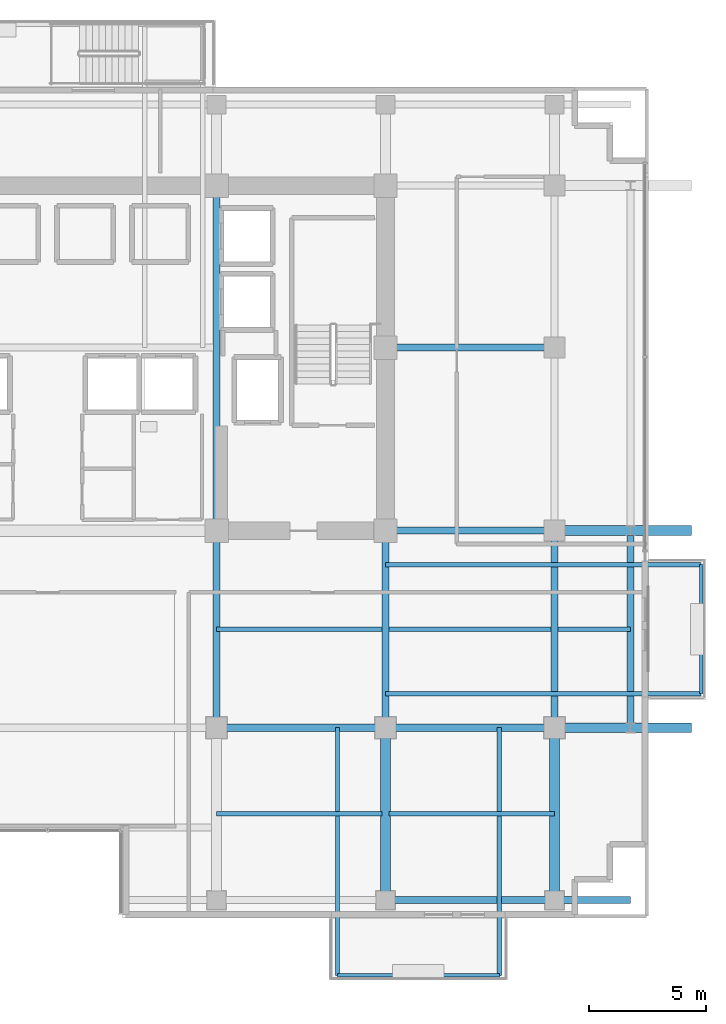
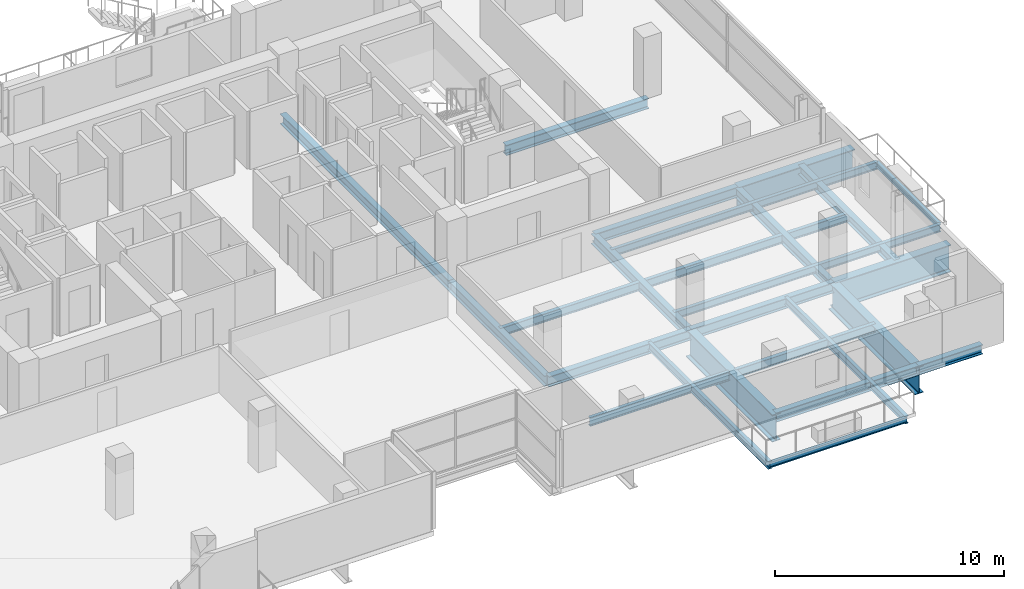
# One storey, part 12 of 27: 26 beams.
"""IFC4 building model written with IfcOpenShell, lengths in metres."""

import ifcopenshell
import ifcopenshell.guid

model = None  # the IFC model being written
_history = None  # IfcOwnerHistory: only IFC2X3 demands one
_inside = {}  # id of a spatial element -> (the spatial element, [elements in it])
_under = {}  # id of a project, library or spatial element -> (it, [spatial elements below it])
_declared = {}  # id of a project -> (the project, [libraries it declares])
_typed = {}  # id of a type object -> (the type object, [elements of that type])
_made_of = {}  # id of a material, layer set ... -> (it, [elements and type objects made of it])


def new_model(schema):
    """Start an empty IFC model of exactly this schema.

    Asked for "IFC4X3", IfcOpenShell would pick the latest addendum, in which some entities
    have other attributes; the version numbers below select the first issue.
    IFC2X3 requires an IfcOwnerHistory on every rooted entity: one is made here for all.
    """
    global model, _history
    if schema == "IFC4X3":
        model = ifcopenshell.file(schema_version=(4, 3, 0, 0))
    else:
        model = ifcopenshell.file(schema=schema)
    _inside.clear()
    _under.clear()
    _declared.clear()
    _typed.clear()
    _made_of.clear()
    _history = None
    if model.schema == "IFC2X3":
        org = make("IfcOrganization", Name="unknown")
        user = make(
            "IfcPersonAndOrganization",
            ThePerson=make("IfcPerson", FamilyName="unknown"),
            TheOrganization=org,
        )
        app = make(
            "IfcApplication",
            ApplicationDeveloper=org,
            Version="unknown",
            ApplicationFullName="unknown",
            ApplicationIdentifier="unknown",
        )
        _history = make(
            "IfcOwnerHistory",
            OwningUser=user,
            OwningApplication=app,
            ChangeAction="ADDED",
            CreationDate=0,
        )
    return model


def make(cls, **values):
    """One entity of the class cls with the attributes given. An attribute that is None is left unset."""
    return model.create_entity(
        cls, **{name: value for name, value in values.items() if value is not None}
    )


def rooted(cls, **values):
    """An entity with a GlobalId (a new one), such as an element, a storey or a relation."""
    return make(cls, GlobalId=ifcopenshell.guid.new(), OwnerHistory=_history, **values)


def si_unit(unit_type, name, prefix=None):
    """IfcSIUnit, for example si_unit("LENGTHUNIT", "METRE", prefix="MILLI")."""
    return make("IfcSIUnit", UnitType=unit_type, Prefix=prefix, Name=name)


def assignment(units):
    """IfcUnitAssignment: the units of a project."""
    return None if units is None else make("IfcUnitAssignment", Units=units)


def point(xyz):
    """IfcCartesianPoint."""
    return None if xyz is None else make("IfcCartesianPoint", Coordinates=xyz)


def direction(xyz):
    """IfcDirection."""
    return None if xyz is None else make("IfcDirection", DirectionRatios=xyz)


def frame(location, z_axis=None, x_axis=None):
    """IfcAxis2Placement3D, a coordinate frame: its origin and axes. An axis left out is left unset."""
    return make(
        "IfcAxis2Placement3D",
        Location=point(location),
        Axis=direction(z_axis),
        RefDirection=direction(x_axis),
    )


def frame_2d(location, x_axis=None):
    """IfcAxis2Placement2D, a coordinate frame in the plane: its origin and x axis."""
    return make(
        "IfcAxis2Placement2D", Location=point(location), RefDirection=direction(x_axis)
    )


def origin():
    """The frame at (0, 0, 0) with its axes left unset."""
    return frame((0.0, 0.0, 0.0))


def origin_2d():
    """The frame at (0, 0) in the plane with its x axis left unset."""
    return frame_2d((0.0, 0.0))


def place(relative_to, where):
    """IfcLocalPlacement: puts the frame where relative to a parent placement (None: the world)."""
    return make(
        "IfcLocalPlacement", PlacementRelTo=relative_to, RelativePlacement=where
    )


def context(
    kind, dimensions, precision=None, world=None, true_north=None, identifier=None
):
    """IfcGeometricRepresentationContext, for example the 3D "Model" context."""
    return make(
        "IfcGeometricRepresentationContext",
        ContextIdentifier=identifier,
        ContextType=kind,
        CoordinateSpaceDimension=dimensions,
        Precision=precision,
        WorldCoordinateSystem=world,
        TrueNorth=true_north,
    )


def subcontext(parent, identifier, kind, view, scale=None):
    """IfcGeometricRepresentationSubContext, for example "Body" below "Model"."""
    return make(
        "IfcGeometricRepresentationSubContext",
        ContextIdentifier=identifier,
        ContextType=kind,
        ParentContext=parent,
        TargetScale=scale,
        TargetView=view,
    )


def project(units=None, contexts=None):
    """IfcProject with its units and contexts."""
    return rooted(
        "IfcProject",
        Name="project",
        RepresentationContexts=contexts,
        UnitsInContext=assignment(units),
    )


def spatial(cls, under=None, at=None, **own):
    """A site, building, storey or space (cls), placed at a placement, below another one or the project."""
    s = rooted(cls, ObjectPlacement=at, **own)
    if under is not None:
        _under.setdefault(under.id(), (under, []))[1].append(s)
    return s


def profile(cls, at=None, kind="AREA", **sizes):
    """A parametric profile (cls). Its sizes go by their IFC names, for example OverallWidth=200.0."""
    return make(cls, ProfileType=kind, Position=at, **sizes)


def i_section(**sizes):
    """IfcIShapeProfileDef."""
    return profile("IfcIShapeProfileDef", **sizes)


def extrude(swept, where, along, depth):
    """IfcExtrudedAreaSolid: the profile swept, set in the frame where, extruded along a direction by depth."""
    return make(
        "IfcExtrudedAreaSolid",
        SweptArea=swept,
        Position=where,
        ExtrudedDirection=direction(along),
        Depth=depth,
    )


def shape(context_of_items, identifier, shape_type, items):
    """IfcShapeRepresentation: the items that make up one representation, for example the "Body"."""
    return make(
        "IfcShapeRepresentation",
        ContextOfItems=context_of_items,
        RepresentationIdentifier=identifier,
        RepresentationType=shape_type,
        Items=items,
    )


def material(Name=None, Category=None):
    """IfcMaterial."""
    return make("IfcMaterial", Name=Name, Category=Category)


def material_profile(
    of_material, cross_section, Name=None, Category=None, Priority=None
):
    """IfcMaterialProfile: a cross section and its material."""
    return make(
        "IfcMaterialProfile",
        Name=Name,
        Material=of_material,
        Profile=cross_section,
        Priority=Priority,
        Category=Category,
    )


def profile_set(profiles, Name=None, composite=None):
    """IfcMaterialProfileSet."""
    return make(
        "IfcMaterialProfileSet",
        Name=Name,
        MaterialProfiles=profiles,
        CompositeProfile=composite,
    )


def made_of(thing, what):
    """Note that an element or type object is made of a material, layer set ...; save() writes the relation."""
    if what is not None:
        _made_of.setdefault(what.id(), (what, []))[1].append(thing)
    return thing


def type_object(cls, material=None, **own):
    """A type object (cls), such as IfcWallType, which elements share."""
    return made_of(rooted(cls, **own), material)


def element(
    cls,
    number,
    at=None,
    inside=None,
    cuts=None,
    type_object=None,
    material=None,
    context=None,
    identifier="Body",
    shape_type=None,
    held_by="IfcProductDefinitionShape",
    body=None,
    shapes=None,
    **own,
):
    """One element of the class cls, such as IfcWall. Its Tag is "e" and its number.

    at: its placement. inside: the storey or other place that contains it. cuts: it is an
    opening in that element (IfcRelVoidsElement). A single representation is given by context,
    identifier, shape_type and body (its items); several are given by shapes. held_by: the class
    of the entity that holds the representations. save() writes the other relations.
    """
    e = rooted(cls, Tag="e%d" % number, ObjectPlacement=at, **own)
    if body is not None:
        shapes = [shape(context, identifier, shape_type, body)]
    if shapes is not None:
        e.Representation = make(held_by, Representations=shapes)
    if inside is not None:
        _inside.setdefault(inside.id(), (inside, []))[1].append(e)
    if cuts is not None:
        rooted(
            "IfcRelVoidsElement", RelatingBuildingElement=cuts, RelatedOpeningElement=e
        )
    if type_object is not None:
        _typed.setdefault(type_object.id(), (type_object, []))[1].append(e)
    return made_of(e, material)


def aggregate(whole, parts):
    """IfcRelAggregates: a whole, such as a stair, and the parts it consists of."""
    return rooted("IfcRelAggregates", RelatingObject=whole, RelatedObjects=parts)


def save(model, path):
    """Write the relations noted so far, then the file.

    IfcRelAggregates (storeys below a building ...), IfcRelContainedInSpatialStructure (elements
    in a storey), IfcRelDefinesByType, IfcRelAssociatesMaterial and IfcRelDeclares: one each for
    every whole, place, type object, material and project.
    """
    for whole, parts in _under.values():
        aggregate(whole, parts)
    for where, things in _inside.values():
        rooted(
            "IfcRelContainedInSpatialStructure",
            RelatedElements=things,
            RelatingStructure=where,
        )
    for kind, things in _typed.values():
        rooted("IfcRelDefinesByType", RelatedObjects=things, RelatingType=kind)
    for what, things in _made_of.values():
        rooted("IfcRelAssociatesMaterial", RelatedObjects=things, RelatingMaterial=what)
    for by, libraries in _declared.values():
        rooted("IfcRelDeclares", RelatingContext=by, RelatedDefinitions=libraries)
    model.write(path)


model = new_model("IFC4")

# Units and contexts
model_context = context("Model", 3, precision=1e-05, world=origin(), true_north=direction((0.0, 1.0)))
body_context = subcontext(model_context, "Body", "Model", "MODEL_VIEW")
ifc_project = project(units=[si_unit("LENGTHUNIT", "METRE"), si_unit("AREAUNIT", "SQUARE_METRE"), si_unit("VOLUMEUNIT", "CUBIC_METRE"), si_unit("PLANEANGLEUNIT", "RADIAN"), si_unit("MASSUNIT", "GRAM", prefix="KILO")], contexts=[model_context])

# Site, building, storey
site_placement = place(None, origin())
site = spatial("IfcSite", under=ifc_project, at=site_placement, CompositionType="ELEMENT")
building_placement = place(site_placement, origin())
building = spatial("IfcBuilding", under=site, at=building_placement, Name="Zarnakvel Exchange Tower", CompositionType="ELEMENT")
storey_placement = place(building_placement, frame((0.0, 0.0, 86.800048828125)))
storey = spatial("IfcBuildingStorey", under=building, at=storey_placement, Name="L23", CompositionType="ELEMENT", Elevation=86.800048828125)

# Beams
ifc_material_1 = material(Name="Steel S355", Category="steel")
ifc_material_profile_1 = material_profile(ifc_material_1, i_section(OverallWidth=0.18994140625, OverallDepth=0.449951171875, WebThickness=0.009521484375, FlangeThickness=0.0146484375, FilletRadius=0.02099609375, at=origin_2d()))
ifc_profile_set_1 = profile_set([ifc_material_profile_1], Name="Steel S355")
beam_type_1 = type_object("IfcBeamType", Name="B-05", PredefinedType="JOIST", material=ifc_profile_set_1)
for number, where, z_axis, x_axis, name in (
    (1, (7.199951171875, -13.27490234375, -0.47509765625), (1.0, 0.0, 0.0), (0.0, 1.0, 0.0), "L23 Composite Floor Secondary Joist"),
    (2, (14.554931640625, -13.27490234375, -0.47509765625), (1.0, 0.0, 0.0), (0.0, 1.0, 0.0), "L23 Composite Floor Secondary Joist"),
):
    element("IfcBeam", number, at=place(storey_placement, frame(where, z_axis=z_axis, x_axis=x_axis)), inside=storey, type_object=beam_type_1, Name=name, PredefinedType="JOIST", context=body_context, shape_type="SweptSolid", body=[
        extrude(i_section(OverallWidth=0.18994140625, OverallDepth=0.449951171875, WebThickness=0.009521484375, FlangeThickness=0.0146484375, FilletRadius=0.02099609375, at=origin_2d()), origin(), (0.0, 0.0, 1.0), 7.045166015625),
    ])
beam_1_placement = place(storey_placement, frame((7.199951171875, -5.39990234375, -0.47509765625), z_axis=(1.0, 0.0, 0.0), x_axis=(0.0, 1.0, 0.0)))
element("IfcBeam", 3, at=beam_1_placement, inside=storey, type_object=beam_type_1, Name="L23 Composite Floor Secondary Joist", PredefinedType="JOIST", context=body_context, shape_type="SweptSolid", body=[
    extrude(i_section(OverallWidth=0.18994140625, OverallDepth=0.449951171875, WebThickness=0.009521484375, FlangeThickness=0.0146484375, FilletRadius=0.02099609375, at=origin_2d()), origin(), (0.0, 0.0, 1.0), 7.050048828125),
])
beam_2_placement = place(storey_placement, frame((14.550048828125, -5.39990234375, -0.47509765625), z_axis=(1.0, 0.0, 0.0), x_axis=(0.0, 1.0, 0.0)))
element("IfcBeam", 4, at=beam_2_placement, inside=storey, type_object=beam_type_1, Name="L23 Composite Floor Secondary Joist", PredefinedType="JOIST", context=body_context, shape_type="SweptSolid", body=[
    extrude(i_section(OverallWidth=0.18994140625, OverallDepth=0.449951171875, WebThickness=0.009521484375, FlangeThickness=0.0146484375, FilletRadius=0.02099609375, at=origin_2d()), origin(), (0.0, 0.0, 1.0), 6.89990234375),
])
beam_3_placement = place(storey_placement, frame((21.75, -5.39990234375, -0.47509765625), z_axis=(1.0, 0.0, 0.0), x_axis=(0.0, 1.0, 0.0)))
element("IfcBeam", 5, at=beam_3_placement, inside=storey, type_object=beam_type_1, Name="L23 Composite Floor Secondary Joist", PredefinedType="JOIST", context=body_context, shape_type="SweptSolid", body=[
    extrude(i_section(OverallWidth=0.18994140625, OverallDepth=0.449951171875, WebThickness=0.009521484375, FlangeThickness=0.0146484375, FilletRadius=0.02099609375, at=origin_2d()), origin(), (0.0, 0.0, 1.0), 3.10009765625),
])
ifc_material_profile_2 = material_profile(ifc_material_1, i_section(OverallWidth=0.179931640625, OverallDepth=0.39990234375, WebThickness=0.008544921875, FlangeThickness=0.013427734375, FilletRadius=0.02099609375, at=origin_2d()))
ifc_profile_set_2 = profile_set([ifc_material_profile_2], Name="Steel S355")
beam_type_2 = type_object("IfcBeamType", Name="B-06", PredefinedType="JOIST", material=ifc_profile_set_2)
for number, where, z_axis, x_axis, name in (
    (6, (12.35009765625, -9.60009765625, -0.449951171875), (0.0, -1.0, 0.0), (1.0, 0.0, 0.0), "L23 Continuous Back-Spanned Balcony Beam W"),
    (7, (19.25, -9.60009765625, -0.449951171875), (0.0, -1.0, 0.0), (1.0, 0.0, 0.0), "L23 Continuous Back-Spanned Balcony Beam E"),
):
    element("IfcBeam", number, at=place(storey_placement, frame(where, z_axis=z_axis, x_axis=x_axis)), inside=storey, type_object=beam_type_2, Name=name, PredefinedType="JOIST", context=body_context, shape_type="SweptSolid", body=[
        extrude(i_section(OverallWidth=0.179931640625, OverallDepth=0.39990234375, WebThickness=0.008544921875, FlangeThickness=0.013427734375, FilletRadius=0.02099609375, at=origin_2d()), origin(), (0.0, 0.0, 1.0), 10.5498046875),
    ])
for number, where, z_axis, x_axis, name in (
    (8, (14.39990234375, -8.14990234375, -0.449951171875), (1.0, 0.0, 0.0), (0.0, 1.0, 0.0), "L23 Continuous East Loggia Beam S"),
    (9, (14.39990234375, -2.64990234375, -0.449951171875), (1.0, 0.0, 0.0), (0.0, 1.0, 0.0), "L23 Continuous East Loggia Beam N"),
):
    element("IfcBeam", number, at=place(storey_placement, frame(where, z_axis=z_axis, x_axis=x_axis)), inside=storey, type_object=beam_type_2, Name=name, PredefinedType="JOIST", context=body_context, shape_type="SweptSolid", body=[
        extrude(i_section(OverallWidth=0.179931640625, OverallDepth=0.39990234375, WebThickness=0.008544921875, FlangeThickness=0.013427734375, FilletRadius=0.02099609375, at=origin_2d()), origin(), (0.0, 0.0, 1.0), 13.4501953125),
    ])
ifc_material_profile_3 = material_profile(ifc_material_1, i_section(OverallWidth=0.14990234375, OverallDepth=0.300048828125, WebThickness=0.007080078125, FlangeThickness=0.0107421875, FilletRadius=0.014892578125, at=origin_2d()))
ifc_profile_set_3 = profile_set([ifc_material_profile_3], Name="Steel S355")
beam_type_3 = type_object("IfcBeamType", Name="B-08", PredefinedType="JOIST", material=ifc_profile_set_3)
beam_4_placement = place(storey_placement, frame((12.35009765625, -20.14990234375, -0.400146484375), z_axis=(1.0, 0.0, 0.0), x_axis=(0.0, 1.0, 0.0)))
element("IfcBeam", 10, at=beam_4_placement, inside=storey, type_object=beam_type_3, Name="L23 Balcony Edge Beam", PredefinedType="JOIST", context=body_context, shape_type="SweptSolid", body=[
    extrude(i_section(OverallWidth=0.14990234375, OverallDepth=0.300048828125, WebThickness=0.007080078125, FlangeThickness=0.0107421875, FilletRadius=0.014892578125, at=origin_2d()), origin(), (0.0, 0.0, 1.0), 6.89990234375),
])
beam_5_placement = place(storey_placement, frame((27.85009765625, -8.14990234375, -0.400146484375), z_axis=(0.0, 1.0, 0.0), x_axis=(-1.0, 0.0, 0.0)))
element("IfcBeam", 11, at=beam_5_placement, inside=storey, type_object=beam_type_3, Name="L23 East Loggia Edge Beam", PredefinedType="JOIST", context=body_context, shape_type="SweptSolid", body=[
    extrude(i_section(OverallWidth=0.14990234375, OverallDepth=0.300048828125, WebThickness=0.007080078125, FlangeThickness=0.0107421875, FilletRadius=0.014892578125, at=origin_2d()), origin(), (0.0, 0.0, 1.0), 5.5),
])
ifc_material_profile_4 = material_profile(ifc_material_1, i_section(OverallWidth=0.300048828125, OverallDepth=0.550048828125, WebThickness=0.014892578125, FlangeThickness=0.029052734375, FilletRadius=0.027099609375, at=origin_2d()))
ifc_profile_set_4 = profile_set([ifc_material_profile_4], Name="Steel S355")
beam_type_4 = type_object("IfcBeamType", Name="G-05", PredefinedType="BEAM", material=ifc_profile_set_4)
beam_6_placement = place(storey_placement, frame((7.199951171875, -9.60009765625, -0.525146484375), z_axis=(1.0, 0.0, 0.0), x_axis=(0.0, 1.0, 0.0)))
element("IfcBeam", 12, at=beam_6_placement, inside=storey, type_object=beam_type_4, Name="L23 Tower E-W Frame Beam", PredefinedType="BEAM", context=body_context, shape_type="SweptSolid", body=[
    extrude(i_section(OverallWidth=0.300048828125, OverallDepth=0.550048828125, WebThickness=0.014892578125, FlangeThickness=0.029052734375, FilletRadius=0.027099609375, at=origin_2d()), origin(), (0.0, 0.0, 1.0), 7.199951171875),
])
for number, where, z_axis, x_axis, name in (
    (13, (14.39990234375, -9.60009765625, -0.525146484375), (1.0, 0.0, 0.0), (0.0, 1.0, 0.0), "L23 Tower E-W Frame Beam"),
    (14, (14.39990234375, -1.199951171875, -0.525146484375), (1.0, 0.0, 0.0), (0.0, 1.0, 0.0), "L23 Tower E-W Frame Beam"),
    (15, (14.39990234375, 6.60009765625, -0.525146484375), (1.0, 0.0, 0.0), (0.0, 1.0, 0.0), "L23 Tower E-W Frame Beam"),
):
    element("IfcBeam", number, at=place(storey_placement, frame(where, z_axis=z_axis, x_axis=x_axis)), inside=storey, type_object=beam_type_4, Name=name, PredefinedType="BEAM", context=body_context, shape_type="SweptSolid", body=[
        extrude(i_section(OverallWidth=0.300048828125, OverallDepth=0.550048828125, WebThickness=0.014892578125, FlangeThickness=0.029052734375, FilletRadius=0.027099609375, at=origin_2d()), origin(), (0.0, 0.0, 1.0), 7.2001953125),
    ])
beam_7_placement = place(storey_placement, frame((7.199951171875, -9.60009765625, -0.525146484375), z_axis=(0.0, 1.0, 0.0), x_axis=(-1.0, 0.0, 0.0)))
element("IfcBeam", 16, at=beam_7_placement, inside=storey, type_object=beam_type_4, Name="L23 Tower N-S Frame Beam", PredefinedType="BEAM", context=body_context, shape_type="SweptSolid", body=[
    extrude(i_section(OverallWidth=0.300048828125, OverallDepth=0.550048828125, WebThickness=0.014892578125, FlangeThickness=0.029052734375, FilletRadius=0.027099609375, at=origin_2d()), origin(), (0.0, 0.0, 1.0), 8.400146484375),
])
beam_8_placement = place(storey_placement, frame((7.199951171875, -1.199951171875, -0.525146484375), z_axis=(0.0, 1.0, 0.0), x_axis=(-1.0, 0.0, 0.0)))
element("IfcBeam", 17, at=beam_8_placement, inside=storey, type_object=beam_type_4, Name="L23 Tower N-S Frame Beam", PredefinedType="BEAM", context=body_context, shape_type="SweptSolid", body=[
    extrude(i_section(OverallWidth=0.300048828125, OverallDepth=0.550048828125, WebThickness=0.014892578125, FlangeThickness=0.029052734375, FilletRadius=0.027099609375, at=origin_2d()), origin(), (0.0, 0.0, 1.0), 14.699951171875),
])
for number, where, z_axis, x_axis, name in (
    (18, (14.39990234375, -9.60009765625, -0.525146484375), (0.0, 1.0, 0.0), (-1.0, 0.0, 0.0), "L23 Tower N-S Frame Beam"),
    (19, (21.60009765625, -9.60009765625, -0.525146484375), (0.0, 1.0, 0.0), (-1.0, 0.0, 0.0), "L23 Tower N-S Frame Beam"),
):
    element("IfcBeam", number, at=place(storey_placement, frame(where, z_axis=z_axis, x_axis=x_axis)), inside=storey, type_object=beam_type_4, Name=name, PredefinedType="BEAM", context=body_context, shape_type="SweptSolid", body=[
        extrude(i_section(OverallWidth=0.300048828125, OverallDepth=0.550048828125, WebThickness=0.014892578125, FlangeThickness=0.029052734375, FilletRadius=0.027099609375, at=origin_2d()), origin(), (0.0, 0.0, 1.0), 8.400146484375),
    ])
ifc_material_profile_5 = material_profile(ifc_material_1, i_section(OverallWidth=0.300048828125, OverallDepth=0.5, WebThickness=0.014404296875, FlangeThickness=0.028076171875, FilletRadius=0.027099609375, at=origin_2d()))
ifc_profile_set_5 = profile_set([ifc_material_profile_5], Name="Steel S355")
beam_type_5 = type_object("IfcBeamType", Name="SP-02", PredefinedType="SPANDREL", material=ifc_profile_set_5)
beam_9_placement = place(storey_placement, frame((14.39990234375, -16.949951171875, -0.5), z_axis=(1.0, 0.0, 0.0), x_axis=(0.0, 1.0, 0.0)))
element("IfcBeam", 20, at=beam_9_placement, inside=storey, type_object=beam_type_5, Name="L23 Tower E-W Frame Beam", PredefinedType="SPANDREL", context=body_context, shape_type="SweptSolid", body=[
    extrude(i_section(OverallWidth=0.300048828125, OverallDepth=0.5, WebThickness=0.014404296875, FlangeThickness=0.028076171875, FilletRadius=0.027099609375, at=origin_2d()), origin(), (0.0, 0.0, 1.0), 7.2001953125),
])
beam_10_placement = place(storey_placement, frame((24.85009765625, -9.60009765625, -0.5), z_axis=(0.0, 1.0, 0.0), x_axis=(-1.0, 0.0, 0.0)))
element("IfcBeam", 21, at=beam_10_placement, inside=storey, type_object=beam_type_5, Name="L23 Tower N-S Frame Beam", PredefinedType="SPANDREL", context=body_context, shape_type="SweptSolid", body=[
    extrude(i_section(OverallWidth=0.300048828125, OverallDepth=0.5, WebThickness=0.014404296875, FlangeThickness=0.028076171875, FilletRadius=0.027099609375, at=origin_2d()), origin(), (0.0, 0.0, 1.0), 8.400146484375),
])
beam_11_placement = place(storey_placement, frame((21.60009765625, -16.949951171875, -0.5), z_axis=(1.0, 0.0, 0.0), x_axis=(0.0, 1.0, 0.0)))
element("IfcBeam", 22, at=beam_11_placement, inside=storey, type_object=beam_type_5, Name="L23 South-East Corner Spandrel", PredefinedType="SPANDREL", context=body_context, shape_type="SweptSolid", body=[
    extrude(i_section(OverallWidth=0.300048828125, OverallDepth=0.5, WebThickness=0.014404296875, FlangeThickness=0.028076171875, FilletRadius=0.027099609375, at=origin_2d()), origin(), (0.0, 0.0, 1.0), 3.25),
])
ifc_material_2 = material(Name="Steel S460", Category="steel")
ifc_material_profile_6 = material_profile(ifc_material_2, i_section(OverallWidth=0.419921875, OverallDepth=1.449951171875, WebThickness=0.02392578125, FlangeThickness=0.0400390625, FilletRadius=0.030029296875, at=origin_2d()))
ifc_profile_set_6 = profile_set([ifc_material_profile_6], Name="Steel S460")
beam_type_6 = type_object("IfcBeamType", Name="TG-01", PredefinedType="BEAM", material=ifc_profile_set_6)
for number, where, z_axis, x_axis, name in (
    (23, (14.39990234375, -17.14990234375, -0.97509765625), (0.0, 1.0, 0.0), (-1.0, 0.0, 0.0), "L23 Setback N-S Transfer Girder TS-9"),
    (24, (21.60009765625, -17.14990234375, -0.97509765625), (0.0, 1.0, 0.0), (-1.0, 0.0, 0.0), "L23 Setback N-S Transfer Girder TS-10"),
):
    element("IfcBeam", number, at=place(storey_placement, frame(where, z_axis=z_axis, x_axis=x_axis)), inside=storey, type_object=beam_type_6, Name=name, PredefinedType="BEAM", context=body_context, shape_type="SweptSolid", body=[
        extrude(i_section(OverallWidth=0.419921875, OverallDepth=1.449951171875, WebThickness=0.02392578125, FlangeThickness=0.0400390625, FilletRadius=0.030029296875, at=origin_2d()), origin(), (0.0, 0.0, 1.0), 7.5498046875),
    ])
for number, where, z_axis, x_axis, name in (
    (25, (21.60009765625, -9.60009765625, -0.97509765625), (1.0, 0.0, 0.0), (0.0, 1.0, 0.0), "L23 Setback E-W Transfer Girder TE-C"),
    (26, (21.60009765625, -1.199951171875, -0.97509765625), (1.0, 0.0, 0.0), (0.0, 1.0, 0.0), "L23 Setback E-W Transfer Girder TE-D"),
):
    element("IfcBeam", number, at=place(storey_placement, frame(where, z_axis=z_axis, x_axis=x_axis)), inside=storey, type_object=beam_type_6, Name=name, PredefinedType="BEAM", context=body_context, shape_type="SweptSolid", body=[
        extrude(i_section(OverallWidth=0.419921875, OverallDepth=1.449951171875, WebThickness=0.02392578125, FlangeThickness=0.0400390625, FilletRadius=0.030029296875, at=origin_2d()), origin(), (0.0, 0.0, 1.0), 5.849853515625),
    ])

save(model, "model.ifc")
